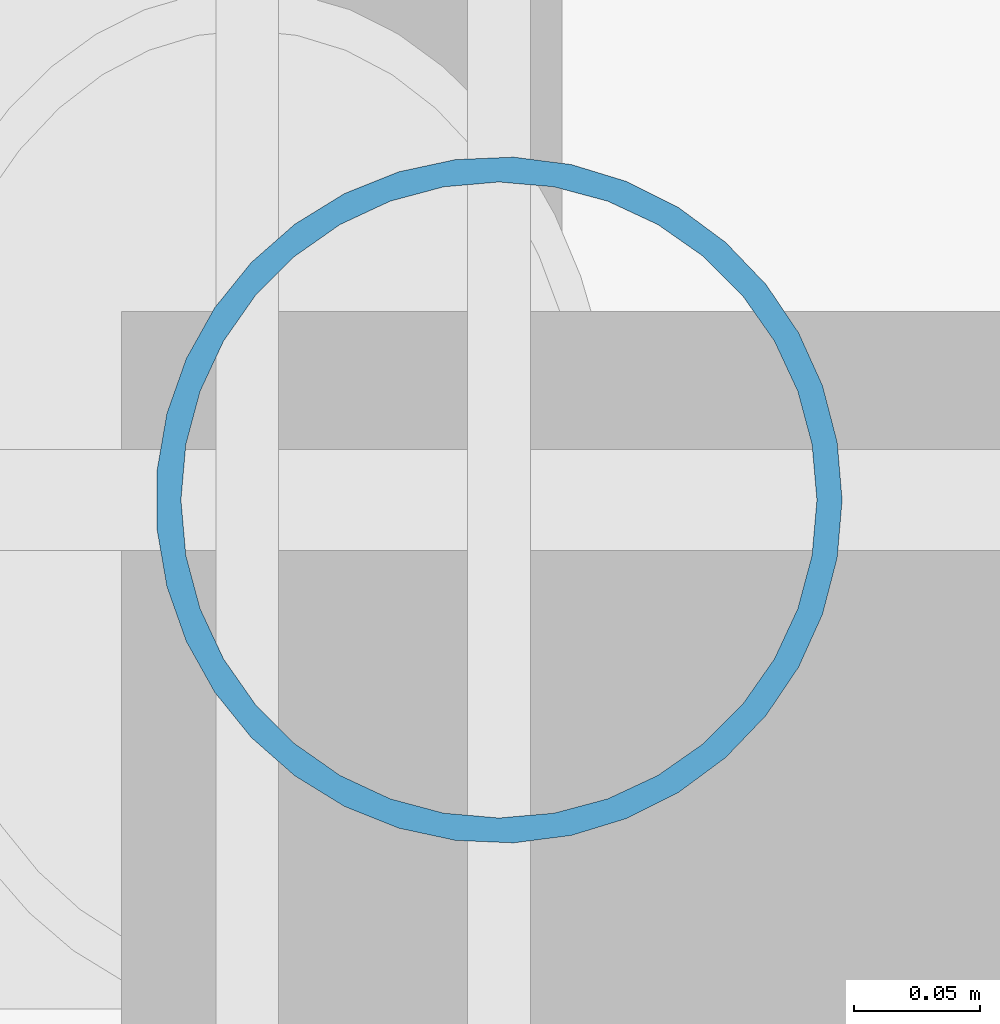
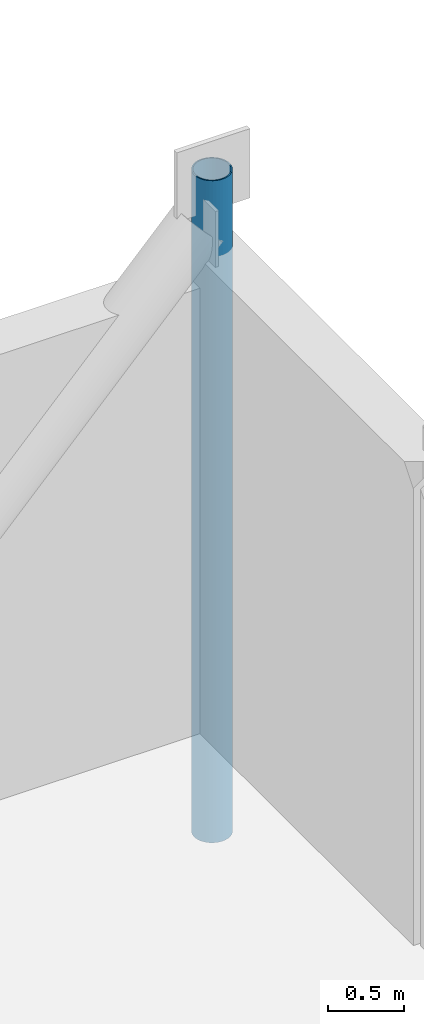
# One storey, part 4 of 18: 1 member.
"""IFC4 building model written with IfcOpenShell, lengths in metres."""

from ifc_helpers import new_model, si_unit, direction, frame, origin, origin_2d, place, context, subcontext, project, spatial, hollow_circle, extrude, material, material_profile, profile_set, type_object, element, save


model = new_model("IFC4")

# Units and contexts
model_context = context("Model", 3, precision=1e-05, world=origin(), true_north=direction((0.0, 1.0)))
body_context = subcontext(model_context, "Body", "Model", "MODEL_VIEW")
ifc_project = project(units=[si_unit("LENGTHUNIT", "METRE"), si_unit("AREAUNIT", "SQUARE_METRE"), si_unit("VOLUMEUNIT", "CUBIC_METRE"), si_unit("PLANEANGLEUNIT", "RADIAN"), si_unit("MASSUNIT", "GRAM", prefix="KILO")], contexts=[model_context])

# Site, building, storey
site_placement = place(None, origin())
site = spatial("IfcSite", under=ifc_project, at=site_placement, CompositionType="ELEMENT")
building_placement = place(site_placement, origin())
building = spatial("IfcBuilding", under=site, at=building_placement, Name="Koriwani Terraces Tower", CompositionType="ELEMENT")
storey_placement = place(building_placement, frame((0.0, 0.0, 363.800048828125)))
storey = spatial("IfcBuildingStorey", under=building, at=storey_placement, Name="L90", CompositionType="ELEMENT", Elevation=363.800048828125)

# Member
ifc_material = material(Name="Steel ASTM A572 Grade 50", Category="steel")
ifc_material_profile = material_profile(ifc_material, hollow_circle(Radius=0.136474609375, WallThickness=0.010009765625, at=origin_2d()), Name="Steel ASTM A572 Grade 50", Category="LoadBearing")
ifc_profile_set = profile_set([ifc_material_profile], Name="Steel ASTM A572 Grade 50")
member_type = type_object("IfcMemberType", Name="CROWN_FRAME_BRACE_CHS273X10", PredefinedType="USERDEFINED", material=ifc_profile_set)
member_placement = place(storey_placement, frame((71.60009765625, 33.35009765625, -0.900146484375), z_axis=(0.0, 0.0, 1.0), x_axis=(1.0, 0.0, 0.0)))
element("IfcMember", 1, at=member_placement, inside=storey, type_object=member_type, Name="L90 Sky-Lounge Tip Hanger Strut TP-04", ObjectType="CROWN FRAME", PredefinedType="USERDEFINED", context=body_context, shape_type="SweptSolid", body=[
    extrude(hollow_circle(Radius=0.136474609375, WallThickness=0.010009765625, at=origin_2d()), origin(), (0.0, 0.0, 1.0), 5.35009765625),
])

save(model, "model.ifc")
